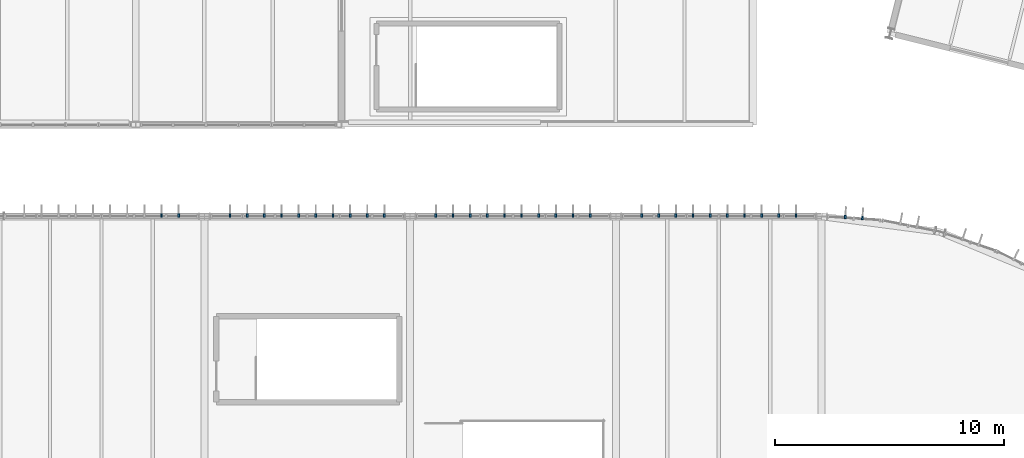
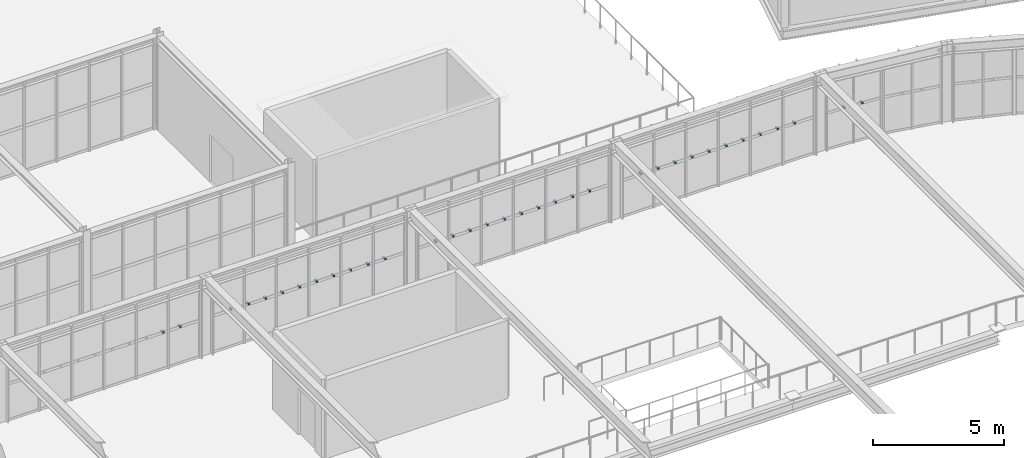
# One storey, part 136 of 152: 34 discrete accessories.
"""IFC4 building model written with IfcOpenShell, lengths in metres."""

from ifc_helpers import new_model, si_unit, derived_unit, direction, frame, origin, origin_2d, place, context, subcontext, project, spatial, rectangle, extrude, material, type_object, element, save


model = new_model("IFC4")

# Units and contexts
model_context = context("Model", 3, precision=1e-05, world=origin(), true_north=direction((0.0, 1.0)))
body_context = subcontext(model_context, "Body", "Model", "MODEL_VIEW")
ifc_project = project(units=[si_unit("LENGTHUNIT", "METRE"), si_unit("AREAUNIT", "SQUARE_METRE"), si_unit("VOLUMEUNIT", "CUBIC_METRE"), si_unit("PLANEANGLEUNIT", "RADIAN"), si_unit("MASSUNIT", "GRAM", prefix="KILO"), si_unit("THERMODYNAMICTEMPERATUREUNIT", "KELVIN"), si_unit("TIMEUNIT", "SECOND"), derived_unit("THERMALTRANSMITTANCEUNIT", [(si_unit("MASSUNIT", "GRAM", prefix="KILO"), 1), (si_unit("THERMODYNAMICTEMPERATUREUNIT", "KELVIN"), -1), (si_unit("TIMEUNIT", "SECOND"), -3)])], contexts=[model_context])

# Site, building, storey
site_placement = place(None, origin())
site = spatial("IfcSite", under=ifc_project, at=site_placement, CompositionType="ELEMENT")
building_placement = place(site_placement, origin())
building = spatial("IfcBuilding", under=site, at=building_placement, Name="Cambertide Market Hall", CompositionType="ELEMENT")
storey_placement = place(building_placement, frame((0.0, 0.0, 5.39990234375)))
storey = spatial("IfcBuildingStorey", under=building, at=storey_placement, Name="L02", CompositionType="ELEMENT", Elevation=5.39990234375)

# Discrete accessories
ifc_material = material(Name="Stainless Steel Grade 316", Category="metal")
discrete_accessory_type = type_object("IfcDiscreteAccessoryType", Name="Stainless Fin Outrigger Tie Bracket", PredefinedType="BRACKET", material=ifc_material)
for number, where, z_axis, x_axis, name in (
    (1, (76.125, 92.0400390625, 1.68505859375), (0.0, 0.0, 1.0), (1.0, 0.0, 0.0), "CW-V1N-L02-4 Fin Tie Bracket 9"),
    (2, (76.875, 92.0400390625, 1.68505859375), (0.0, 0.0, 1.0), (1.0, 0.0, 0.0), "CW-V1N-L02-4 Fin Tie Bracket 10"),
    (3, (79.125, 92.0400390625, 1.68505859375), (0.0, 0.0, 1.0), (1.0, 0.0, 0.0), "CW-V1N-L02-5 Fin Tie Bracket 1"),
    (4, (79.875, 92.0400390625, 1.68505859375), (0.0, 0.0, 1.0), (1.0, 0.0, 0.0), "CW-V1N-L02-5 Fin Tie Bracket 2"),
    (5, (80.625, 92.0400390625, 1.68505859375), (0.0, 0.0, 1.0), (1.0, 0.0, 0.0), "CW-V1N-L02-5 Fin Tie Bracket 3"),
    (6, (81.375, 92.0400390625, 1.68505859375), (0.0, 0.0, 1.0), (1.0, 0.0, 0.0), "CW-V1N-L02-5 Fin Tie Bracket 4"),
    (7, (82.125, 92.0400390625, 1.68505859375), (0.0, 0.0, 1.0), (1.0, 0.0, 0.0), "CW-V1N-L02-5 Fin Tie Bracket 5"),
    (8, (82.875, 92.0400390625, 1.68505859375), (0.0, 0.0, 1.0), (1.0, 0.0, 0.0), "CW-V1N-L02-5 Fin Tie Bracket 6"),
    (9, (83.625, 92.0400390625, 1.68505859375), (0.0, 0.0, 1.0), (1.0, 0.0, 0.0), "CW-V1N-L02-5 Fin Tie Bracket 7"),
    (10, (84.375, 92.0400390625, 1.68505859375), (0.0, 0.0, 1.0), (1.0, 0.0, 0.0), "CW-V1N-L02-5 Fin Tie Bracket 8"),
    (11, (85.125, 92.0400390625, 1.68505859375), (0.0, 0.0, 1.0), (1.0, 0.0, 0.0), "CW-V1N-L02-5 Fin Tie Bracket 9"),
    (12, (85.875, 92.0400390625, 1.68505859375), (0.0, 0.0, 1.0), (1.0, 0.0, 0.0), "CW-V1N-L02-5 Fin Tie Bracket 10"),
    (13, (88.125, 92.0400390625, 1.68505859375), (0.0, 0.0, 1.0), (1.0, 0.0, 0.0), "CW-V1N-L02-6 Fin Tie Bracket 1"),
    (14, (88.875, 92.0400390625, 1.68505859375), (0.0, 0.0, 1.0), (1.0, 0.0, 0.0), "CW-V1N-L02-6 Fin Tie Bracket 2"),
    (15, (89.625, 92.0400390625, 1.68505859375), (0.0, 0.0, 1.0), (1.0, 0.0, 0.0), "CW-V1N-L02-6 Fin Tie Bracket 3"),
    (16, (90.375, 92.0400390625, 1.68505859375), (0.0, 0.0, 1.0), (1.0, 0.0, 0.0), "CW-V1N-L02-6 Fin Tie Bracket 4"),
    (17, (91.125, 92.0400390625, 1.68505859375), (0.0, 0.0, 1.0), (1.0, 0.0, 0.0), "CW-V1N-L02-6 Fin Tie Bracket 5"),
    (18, (91.875, 92.0400390625, 1.68505859375), (0.0, 0.0, 1.0), (1.0, 0.0, 0.0), "CW-V1N-L02-6 Fin Tie Bracket 6"),
    (19, (92.625, 92.0400390625, 1.68505859375), (0.0, 0.0, 1.0), (1.0, 0.0, 0.0), "CW-V1N-L02-6 Fin Tie Bracket 7"),
    (20, (93.375, 92.0400390625, 1.68505859375), (0.0, 0.0, 1.0), (1.0, 0.0, 0.0), "CW-V1N-L02-6 Fin Tie Bracket 8"),
    (21, (94.125, 92.0400390625, 1.68505859375), (0.0, 0.0, 1.0), (1.0, 0.0, 0.0), "CW-V1N-L02-6 Fin Tie Bracket 9"),
    (22, (94.875, 92.0400390625, 1.68505859375), (0.0, 0.0, 1.0), (1.0, 0.0, 0.0), "CW-V1N-L02-6 Fin Tie Bracket 10"),
    (23, (97.125, 92.0400390625, 1.68505859375), (0.0, 0.0, 1.0), (1.0, 0.0, 0.0), "CW-V1N-L02-7 Fin Tie Bracket 1"),
    (24, (97.875, 92.0400390625, 1.68505859375), (0.0, 0.0, 1.0), (1.0, 0.0, 0.0), "CW-V1N-L02-7 Fin Tie Bracket 2"),
    (25, (98.625, 92.0400390625, 1.68505859375), (0.0, 0.0, 1.0), (1.0, 0.0, 0.0), "CW-V1N-L02-7 Fin Tie Bracket 3"),
    (26, (99.375, 92.0400390625, 1.68505859375), (0.0, 0.0, 1.0), (1.0, 0.0, 0.0), "CW-V1N-L02-7 Fin Tie Bracket 4"),
    (27, (100.125, 92.0400390625, 1.68505859375), (0.0, 0.0, 1.0), (1.0, 0.0, 0.0), "CW-V1N-L02-7 Fin Tie Bracket 5"),
    (28, (100.875, 92.0400390625, 1.68505859375), (0.0, 0.0, 1.0), (1.0, 0.0, 0.0), "CW-V1N-L02-7 Fin Tie Bracket 6"),
    (29, (101.625, 92.0400390625, 1.68505859375), (0.0, 0.0, 1.0), (1.0, 0.0, 0.0), "CW-V1N-L02-7 Fin Tie Bracket 7"),
    (30, (102.375, 92.0400390625, 1.68505859375), (0.0, 0.0, 1.0), (1.0, 0.0, 0.0), "CW-V1N-L02-7 Fin Tie Bracket 8"),
    (31, (103.125, 92.0400390625, 1.68505859375), (0.0, 0.0, 1.0), (1.0, 0.0, 0.0), "CW-V1N-L02-7 Fin Tie Bracket 9"),
    (32, (103.875, 92.0400390625, 1.68505859375), (0.0, 0.0, 1.0), (1.0, 0.0, 0.0), "CW-V1N-L02-7 Fin Tie Bracket 10"),
    (33, (106.033447265625, 91.972412109375, 1.68505859375), (0.0, 0.0, 1.0), (0.997858917819, -0.065403211921, 0.0), "CW-V1AE-L02-24 Fin Tie Bracket 1"),
    (34, (106.781982421875, 91.92333984375, 1.68505859375), (0.0, 0.0, 1.0), (0.997858917819, -0.065403211921, 0.0), "CW-V1AE-L02-24 Fin Tie Bracket 2"),
):
    element("IfcDiscreteAccessory", number, at=place(storey_placement, frame(where, z_axis=z_axis, x_axis=x_axis)), inside=storey, type_object=discrete_accessory_type, Name=name, PredefinedType="BRACKET", context=body_context, shape_type="SweptSolid", body=[
        extrude(rectangle(XDim=0.080078125, YDim=0.159912109375, at=origin_2d()), origin(), (0.0, 0.0, 1.0), 0.080078125),
    ])

save(model, "model.ifc")
